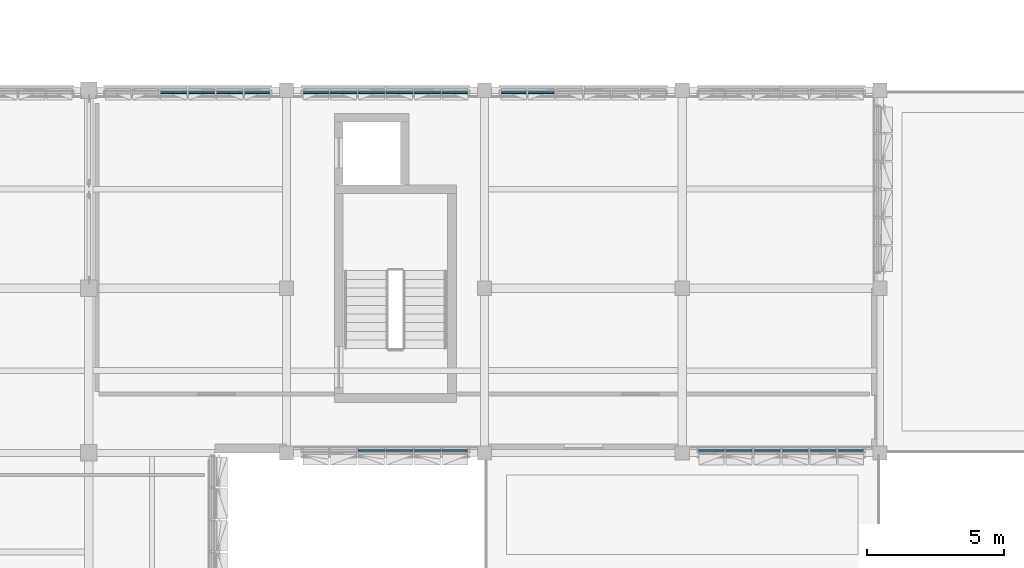
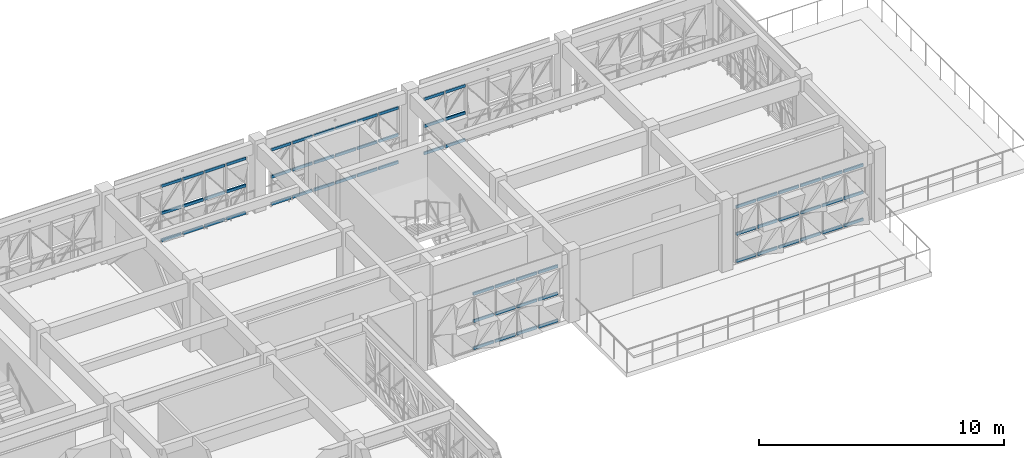
# One storey, part 18 of 74: 66 members, 5 elements without a shape of their own.
"""IFC4 building model written with IfcOpenShell, lengths in metres."""

from ifc_helpers import new_model, si_unit, direction, frame, origin, origin_2d, place, context, subcontext, project, spatial, rectangle, extrude, material, material_profile, profile_set, type_object, element, aggregate, save


model = new_model("IFC4")

# Units and contexts
model_context = context("Model", 3, precision=1e-05, world=origin(), true_north=direction((0.0, 1.0)))
body_context = subcontext(model_context, "Body", "Model", "MODEL_VIEW")
ifc_project = project(units=[si_unit("LENGTHUNIT", "METRE"), si_unit("AREAUNIT", "SQUARE_METRE"), si_unit("VOLUMEUNIT", "CUBIC_METRE"), si_unit("PLANEANGLEUNIT", "RADIAN"), si_unit("MASSUNIT", "GRAM", prefix="KILO")], contexts=[model_context])

# Site, building, storey
site_placement = place(None, origin())
site = spatial("IfcSite", under=ifc_project, at=site_placement, CompositionType="ELEMENT")
building_placement = place(site_placement, origin())
building = spatial("IfcBuilding", under=site, at=building_placement, Name="Alvorim Cloister Faculty of Sciences", CompositionType="ELEMENT")
storey_placement = place(building_placement, frame((0.0, 0.0, 15.75)))
storey = spatial("IfcBuildingStorey", under=building, at=storey_placement, Name="L04", CompositionType="ELEMENT", Elevation=15.75)

# Curtain wall, members
ifc_material_1 = material(Name="Aluminium and Low-E Glass Curtain Wall", Category="aluminium")
curtain_wall_type = type_object("IfcCurtainWallType", Name="CW-TRI-6120x2850", PredefinedType="USERDEFINED", material=ifc_material_1)
curtain_wall_1_placement = place(storey_placement, origin())
curtain_wall_1 = element("IfcCurtainWall", 1, at=curtain_wall_1_placement, inside=storey, type_object=curtain_wall_type, Name="L04 Diagonal Cassette Curtain Wall CW-0190", ObjectType="UNITISED CURTAIN WALL", PredefinedType="USERDEFINED")
ifc_material_2 = material(Name="Aluminium Alloy 6063-T6", Category="aluminium")
ifc_material_profile = material_profile(ifc_material_2, rectangle(XDim=0.06494140625, YDim=0.139892578125, at=origin_2d()), Name="ALU-TRN-65x140")
ifc_profile_set = profile_set([ifc_material_profile], Name="Aluminium Alloy 6063-T6")
member_type = type_object("IfcMemberType", Name="CW-TRN-65x140", PredefinedType="USERDEFINED", material=ifc_profile_set)
member_1_placement = place(storey_placement, frame((31.41259765625, 56.31005859375, 0.070068359375), z_axis=(1.0, 0.0, 0.0), x_axis=(0.0, 1.0, 0.0)))
member_1 = element("IfcMember", 2, at=member_1_placement, type_object=member_type, Name="CW-0190 Transom 3.1", ObjectType="TRANSOM", PredefinedType="USERDEFINED", context=body_context, shape_type="SweptSolid", body=[
    extrude(rectangle(XDim=0.06494140625, YDim=0.139892578125, at=origin_2d()), origin(), (0.0, 0.0, 1.0), 0.954833984375),
])
member_2_placement = place(storey_placement, frame((31.41259765625, 56.31005859375, 1.425048828125), z_axis=(1.0, 0.0, 0.0), x_axis=(0.0, 1.0, 0.0)))
member_2 = element("IfcMember", 3, at=member_2_placement, type_object=member_type, Name="CW-0190 Transom 3.2", ObjectType="TRANSOM", PredefinedType="USERDEFINED", context=body_context, shape_type="SweptSolid", body=[
    extrude(rectangle(XDim=0.06494140625, YDim=0.139892578125, at=origin_2d()), origin(), (0.0, 0.0, 1.0), 0.954833984375),
])
member_3_placement = place(storey_placement, frame((31.41259765625, 56.31005859375, 2.780029296875), z_axis=(1.0, 0.0, 0.0), x_axis=(0.0, 1.0, 0.0)))
member_3 = element("IfcMember", 4, at=member_3_placement, type_object=member_type, Name="CW-0190 Transom 3.3", ObjectType="TRANSOM", PredefinedType="USERDEFINED", context=body_context, shape_type="SweptSolid", body=[
    extrude(rectangle(XDim=0.06494140625, YDim=0.139892578125, at=origin_2d()), origin(), (0.0, 0.0, 1.0), 0.954833984375),
])
member_4_placement = place(storey_placement, frame((32.4326171875, 56.31005859375, 0.070068359375), z_axis=(1.0, 0.0, 0.0), x_axis=(0.0, 1.0, 0.0)))
member_4 = element("IfcMember", 5, at=member_4_placement, type_object=member_type, Name="CW-0190 Transom 4.1", ObjectType="TRANSOM", PredefinedType="USERDEFINED", context=body_context, shape_type="SweptSolid", body=[
    extrude(rectangle(XDim=0.06494140625, YDim=0.139892578125, at=origin_2d()), origin(), (0.0, 0.0, 1.0), 0.954833984375),
])
member_5_placement = place(storey_placement, frame((32.4326171875, 56.31005859375, 1.425048828125), z_axis=(1.0, 0.0, 0.0), x_axis=(0.0, 1.0, 0.0)))
member_5 = element("IfcMember", 6, at=member_5_placement, type_object=member_type, Name="CW-0190 Transom 4.2", ObjectType="TRANSOM", PredefinedType="USERDEFINED", context=body_context, shape_type="SweptSolid", body=[
    extrude(rectangle(XDim=0.06494140625, YDim=0.139892578125, at=origin_2d()), origin(), (0.0, 0.0, 1.0), 0.954833984375),
])
member_6_placement = place(storey_placement, frame((32.4326171875, 56.31005859375, 2.780029296875), z_axis=(1.0, 0.0, 0.0), x_axis=(0.0, 1.0, 0.0)))
member_6 = element("IfcMember", 7, at=member_6_placement, type_object=member_type, Name="CW-0190 Transom 4.3", ObjectType="TRANSOM", PredefinedType="USERDEFINED", context=body_context, shape_type="SweptSolid", body=[
    extrude(rectangle(XDim=0.06494140625, YDim=0.139892578125, at=origin_2d()), origin(), (0.0, 0.0, 1.0), 0.954833984375),
])
member_7_placement = place(storey_placement, frame((33.452392578125, 56.31005859375, 0.070068359375), z_axis=(1.0, 0.0, 0.0), x_axis=(0.0, 1.0, 0.0)))
member_7 = element("IfcMember", 8, at=member_7_placement, type_object=member_type, Name="CW-0190 Transom 5.1", ObjectType="TRANSOM", PredefinedType="USERDEFINED", context=body_context, shape_type="SweptSolid", body=[
    extrude(rectangle(XDim=0.06494140625, YDim=0.139892578125, at=origin_2d()), origin(), (0.0, 0.0, 1.0), 0.955078125),
])
member_8_placement = place(storey_placement, frame((33.452392578125, 56.31005859375, 1.425048828125), z_axis=(1.0, 0.0, 0.0), x_axis=(0.0, 1.0, 0.0)))
member_8 = element("IfcMember", 9, at=member_8_placement, type_object=member_type, Name="CW-0190 Transom 5.2", ObjectType="TRANSOM", PredefinedType="USERDEFINED", context=body_context, shape_type="SweptSolid", body=[
    extrude(rectangle(XDim=0.06494140625, YDim=0.139892578125, at=origin_2d()), origin(), (0.0, 0.0, 1.0), 0.955078125),
])
member_9_placement = place(storey_placement, frame((33.452392578125, 56.31005859375, 2.780029296875), z_axis=(1.0, 0.0, 0.0), x_axis=(0.0, 1.0, 0.0)))
member_9 = element("IfcMember", 10, at=member_9_placement, type_object=member_type, Name="CW-0190 Transom 5.3", ObjectType="TRANSOM", PredefinedType="USERDEFINED", context=body_context, shape_type="SweptSolid", body=[
    extrude(rectangle(XDim=0.06494140625, YDim=0.139892578125, at=origin_2d()), origin(), (0.0, 0.0, 1.0), 0.955078125),
])
member_10_placement = place(storey_placement, frame((34.472412109375, 56.31005859375, 0.070068359375), z_axis=(1.0, 0.0, 0.0), x_axis=(0.0, 1.0, 0.0)))
member_10 = element("IfcMember", 11, at=member_10_placement, type_object=member_type, Name="CW-0190 Transom 6.1", ObjectType="TRANSOM", PredefinedType="USERDEFINED", context=body_context, shape_type="SweptSolid", body=[
    extrude(rectangle(XDim=0.06494140625, YDim=0.139892578125, at=origin_2d()), origin(), (0.0, 0.0, 1.0), 0.922607421875),
])
member_11_placement = place(storey_placement, frame((34.472412109375, 56.31005859375, 1.425048828125), z_axis=(1.0, 0.0, 0.0), x_axis=(0.0, 1.0, 0.0)))
member_11 = element("IfcMember", 12, at=member_11_placement, type_object=member_type, Name="CW-0190 Transom 6.2", ObjectType="TRANSOM", PredefinedType="USERDEFINED", context=body_context, shape_type="SweptSolid", body=[
    extrude(rectangle(XDim=0.06494140625, YDim=0.139892578125, at=origin_2d()), origin(), (0.0, 0.0, 1.0), 0.922607421875),
])
member_12_placement = place(storey_placement, frame((34.472412109375, 56.31005859375, 2.780029296875), z_axis=(1.0, 0.0, 0.0), x_axis=(0.0, 1.0, 0.0)))
member_12 = element("IfcMember", 13, at=member_12_placement, type_object=member_type, Name="CW-0190 Transom 6.3", ObjectType="TRANSOM", PredefinedType="USERDEFINED", context=body_context, shape_type="SweptSolid", body=[
    extrude(rectangle(XDim=0.06494140625, YDim=0.139892578125, at=origin_2d()), origin(), (0.0, 0.0, 1.0), 0.922607421875),
])
aggregate(curtain_wall_1, [member_1, member_2, member_3, member_4, member_5, member_6, member_7, member_8, member_9, member_10, member_11, member_12])

curtain_wall_2_placement = place(storey_placement, origin())
curtain_wall_2 = element("IfcCurtainWall", 14, at=curtain_wall_2_placement, inside=storey, type_object=curtain_wall_type, Name="L04 Diagonal Cassette Curtain Wall CW-0191", ObjectType="UNITISED CURTAIN WALL", PredefinedType="USERDEFINED")
member_13_placement = place(storey_placement, frame((36.60498046875, 56.31005859375, 0.070068359375), z_axis=(1.0, 0.0, 0.0), x_axis=(0.0, 1.0, 0.0)))
member_13 = element("IfcMember", 15, at=member_13_placement, type_object=member_type, Name="CW-0191 Transom 1.1", ObjectType="TRANSOM", PredefinedType="USERDEFINED", context=body_context, shape_type="SweptSolid", body=[
    extrude(rectangle(XDim=0.06494140625, YDim=0.139892578125, at=origin_2d()), origin(), (0.0, 0.0, 1.0), 0.922607421875),
])
member_14_placement = place(storey_placement, frame((36.60498046875, 56.31005859375, 1.425048828125), z_axis=(1.0, 0.0, 0.0), x_axis=(0.0, 1.0, 0.0)))
member_14 = element("IfcMember", 16, at=member_14_placement, type_object=member_type, Name="CW-0191 Transom 1.2", ObjectType="TRANSOM", PredefinedType="USERDEFINED", context=body_context, shape_type="SweptSolid", body=[
    extrude(rectangle(XDim=0.06494140625, YDim=0.139892578125, at=origin_2d()), origin(), (0.0, 0.0, 1.0), 0.922607421875),
])
member_15_placement = place(storey_placement, frame((36.60498046875, 56.31005859375, 2.780029296875), z_axis=(1.0, 0.0, 0.0), x_axis=(0.0, 1.0, 0.0)))
member_15 = element("IfcMember", 17, at=member_15_placement, type_object=member_type, Name="CW-0191 Transom 1.3", ObjectType="TRANSOM", PredefinedType="USERDEFINED", context=body_context, shape_type="SweptSolid", body=[
    extrude(rectangle(XDim=0.06494140625, YDim=0.139892578125, at=origin_2d()), origin(), (0.0, 0.0, 1.0), 0.922607421875),
])
member_16_placement = place(storey_placement, frame((37.592529296875, 56.31005859375, 0.070068359375), z_axis=(1.0, 0.0, 0.0), x_axis=(0.0, 1.0, 0.0)))
member_16 = element("IfcMember", 18, at=member_16_placement, type_object=member_type, Name="CW-0191 Transom 2.1", ObjectType="TRANSOM", PredefinedType="USERDEFINED", context=body_context, shape_type="SweptSolid", body=[
    extrude(rectangle(XDim=0.06494140625, YDim=0.139892578125, at=origin_2d()), origin(), (0.0, 0.0, 1.0), 0.955078125),
])
member_17_placement = place(storey_placement, frame((37.592529296875, 56.31005859375, 1.425048828125), z_axis=(1.0, 0.0, 0.0), x_axis=(0.0, 1.0, 0.0)))
member_17 = element("IfcMember", 19, at=member_17_placement, type_object=member_type, Name="CW-0191 Transom 2.2", ObjectType="TRANSOM", PredefinedType="USERDEFINED", context=body_context, shape_type="SweptSolid", body=[
    extrude(rectangle(XDim=0.06494140625, YDim=0.139892578125, at=origin_2d()), origin(), (0.0, 0.0, 1.0), 0.955078125),
])
member_18_placement = place(storey_placement, frame((37.592529296875, 56.31005859375, 2.780029296875), z_axis=(1.0, 0.0, 0.0), x_axis=(0.0, 1.0, 0.0)))
member_18 = element("IfcMember", 20, at=member_18_placement, type_object=member_type, Name="CW-0191 Transom 2.3", ObjectType="TRANSOM", PredefinedType="USERDEFINED", context=body_context, shape_type="SweptSolid", body=[
    extrude(rectangle(XDim=0.06494140625, YDim=0.139892578125, at=origin_2d()), origin(), (0.0, 0.0, 1.0), 0.955078125),
])
member_19_placement = place(storey_placement, frame((38.612548828125, 56.31005859375, 0.070068359375), z_axis=(1.0, 0.0, 0.0), x_axis=(0.0, 1.0, 0.0)))
member_19 = element("IfcMember", 21, at=member_19_placement, type_object=member_type, Name="CW-0191 Transom 3.1", ObjectType="TRANSOM", PredefinedType="USERDEFINED", context=body_context, shape_type="SweptSolid", body=[
    extrude(rectangle(XDim=0.06494140625, YDim=0.139892578125, at=origin_2d()), origin(), (0.0, 0.0, 1.0), 0.954833984375),
])
member_20_placement = place(storey_placement, frame((38.612548828125, 56.31005859375, 1.425048828125), z_axis=(1.0, 0.0, 0.0), x_axis=(0.0, 1.0, 0.0)))
member_20 = element("IfcMember", 22, at=member_20_placement, type_object=member_type, Name="CW-0191 Transom 3.2", ObjectType="TRANSOM", PredefinedType="USERDEFINED", context=body_context, shape_type="SweptSolid", body=[
    extrude(rectangle(XDim=0.06494140625, YDim=0.139892578125, at=origin_2d()), origin(), (0.0, 0.0, 1.0), 0.954833984375),
])
member_21_placement = place(storey_placement, frame((38.612548828125, 56.31005859375, 2.780029296875), z_axis=(1.0, 0.0, 0.0), x_axis=(0.0, 1.0, 0.0)))
member_21 = element("IfcMember", 23, at=member_21_placement, type_object=member_type, Name="CW-0191 Transom 3.3", ObjectType="TRANSOM", PredefinedType="USERDEFINED", context=body_context, shape_type="SweptSolid", body=[
    extrude(rectangle(XDim=0.06494140625, YDim=0.139892578125, at=origin_2d()), origin(), (0.0, 0.0, 1.0), 0.954833984375),
])
member_22_placement = place(storey_placement, frame((39.632568359375, 56.31005859375, 0.070068359375), z_axis=(1.0, 0.0, 0.0), x_axis=(0.0, 1.0, 0.0)))
member_22 = element("IfcMember", 24, at=member_22_placement, type_object=member_type, Name="CW-0191 Transom 4.1", ObjectType="TRANSOM", PredefinedType="USERDEFINED", context=body_context, shape_type="SweptSolid", body=[
    extrude(rectangle(XDim=0.06494140625, YDim=0.139892578125, at=origin_2d()), origin(), (0.0, 0.0, 1.0), 0.954833984375),
])
member_23_placement = place(storey_placement, frame((39.632568359375, 56.31005859375, 1.425048828125), z_axis=(1.0, 0.0, 0.0), x_axis=(0.0, 1.0, 0.0)))
member_23 = element("IfcMember", 25, at=member_23_placement, type_object=member_type, Name="CW-0191 Transom 4.2", ObjectType="TRANSOM", PredefinedType="USERDEFINED", context=body_context, shape_type="SweptSolid", body=[
    extrude(rectangle(XDim=0.06494140625, YDim=0.139892578125, at=origin_2d()), origin(), (0.0, 0.0, 1.0), 0.954833984375),
])
member_24_placement = place(storey_placement, frame((39.632568359375, 56.31005859375, 2.780029296875), z_axis=(1.0, 0.0, 0.0), x_axis=(0.0, 1.0, 0.0)))
member_24 = element("IfcMember", 26, at=member_24_placement, type_object=member_type, Name="CW-0191 Transom 4.3", ObjectType="TRANSOM", PredefinedType="USERDEFINED", context=body_context, shape_type="SweptSolid", body=[
    extrude(rectangle(XDim=0.06494140625, YDim=0.139892578125, at=origin_2d()), origin(), (0.0, 0.0, 1.0), 0.954833984375),
])
member_25_placement = place(storey_placement, frame((40.652587890625, 56.31005859375, 0.070068359375), z_axis=(1.0, 0.0, 0.0), x_axis=(0.0, 1.0, 0.0)))
member_25 = element("IfcMember", 27, at=member_25_placement, type_object=member_type, Name="CW-0191 Transom 5.1", ObjectType="TRANSOM", PredefinedType="USERDEFINED", context=body_context, shape_type="SweptSolid", body=[
    extrude(rectangle(XDim=0.06494140625, YDim=0.139892578125, at=origin_2d()), origin(), (0.0, 0.0, 1.0), 0.954833984375),
])
member_26_placement = place(storey_placement, frame((40.652587890625, 56.31005859375, 1.425048828125), z_axis=(1.0, 0.0, 0.0), x_axis=(0.0, 1.0, 0.0)))
member_26 = element("IfcMember", 28, at=member_26_placement, type_object=member_type, Name="CW-0191 Transom 5.2", ObjectType="TRANSOM", PredefinedType="USERDEFINED", context=body_context, shape_type="SweptSolid", body=[
    extrude(rectangle(XDim=0.06494140625, YDim=0.139892578125, at=origin_2d()), origin(), (0.0, 0.0, 1.0), 0.954833984375),
])
member_27_placement = place(storey_placement, frame((40.652587890625, 56.31005859375, 2.780029296875), z_axis=(1.0, 0.0, 0.0), x_axis=(0.0, 1.0, 0.0)))
member_27 = element("IfcMember", 29, at=member_27_placement, type_object=member_type, Name="CW-0191 Transom 5.3", ObjectType="TRANSOM", PredefinedType="USERDEFINED", context=body_context, shape_type="SweptSolid", body=[
    extrude(rectangle(XDim=0.06494140625, YDim=0.139892578125, at=origin_2d()), origin(), (0.0, 0.0, 1.0), 0.954833984375),
])
member_28_placement = place(storey_placement, frame((41.672607421875, 56.31005859375, 0.070068359375), z_axis=(1.0, 0.0, 0.0), x_axis=(0.0, 1.0, 0.0)))
member_28 = element("IfcMember", 30, at=member_28_placement, type_object=member_type, Name="CW-0191 Transom 6.1", ObjectType="TRANSOM", PredefinedType="USERDEFINED", context=body_context, shape_type="SweptSolid", body=[
    extrude(rectangle(XDim=0.06494140625, YDim=0.139892578125, at=origin_2d()), origin(), (0.0, 0.0, 1.0), 0.92236328125),
])
member_29_placement = place(storey_placement, frame((41.672607421875, 56.31005859375, 1.425048828125), z_axis=(1.0, 0.0, 0.0), x_axis=(0.0, 1.0, 0.0)))
member_29 = element("IfcMember", 31, at=member_29_placement, type_object=member_type, Name="CW-0191 Transom 6.2", ObjectType="TRANSOM", PredefinedType="USERDEFINED", context=body_context, shape_type="SweptSolid", body=[
    extrude(rectangle(XDim=0.06494140625, YDim=0.139892578125, at=origin_2d()), origin(), (0.0, 0.0, 1.0), 0.92236328125),
])
member_30_placement = place(storey_placement, frame((41.672607421875, 56.31005859375, 2.780029296875), z_axis=(1.0, 0.0, 0.0), x_axis=(0.0, 1.0, 0.0)))
member_30 = element("IfcMember", 32, at=member_30_placement, type_object=member_type, Name="CW-0191 Transom 6.3", ObjectType="TRANSOM", PredefinedType="USERDEFINED", context=body_context, shape_type="SweptSolid", body=[
    extrude(rectangle(XDim=0.06494140625, YDim=0.139892578125, at=origin_2d()), origin(), (0.0, 0.0, 1.0), 0.92236328125),
])
aggregate(curtain_wall_2, [member_13, member_14, member_15, member_16, member_17, member_18, member_19, member_20, member_21, member_22, member_23, member_24, member_25, member_26, member_27, member_28, member_29, member_30])

curtain_wall_3_placement = place(storey_placement, origin())
curtain_wall_3 = element("IfcCurtainWall", 33, at=curtain_wall_3_placement, inside=storey, type_object=curtain_wall_type, Name="L04 Diagonal Cassette Curtain Wall CW-0192", ObjectType="UNITISED CURTAIN WALL", PredefinedType="USERDEFINED")
member_31_placement = place(storey_placement, frame((43.804931640625, 56.31005859375, 0.070068359375), z_axis=(1.0, 0.0, 0.0), x_axis=(0.0, 1.0, 0.0)))
member_31 = element("IfcMember", 34, at=member_31_placement, type_object=member_type, Name="CW-0192 Transom 1.1", ObjectType="TRANSOM", PredefinedType="USERDEFINED", context=body_context, shape_type="SweptSolid", body=[
    extrude(rectangle(XDim=0.06494140625, YDim=0.139892578125, at=origin_2d()), origin(), (0.0, 0.0, 1.0), 0.922607421875),
])
member_32_placement = place(storey_placement, frame((43.804931640625, 56.31005859375, 1.425048828125), z_axis=(1.0, 0.0, 0.0), x_axis=(0.0, 1.0, 0.0)))
member_32 = element("IfcMember", 35, at=member_32_placement, type_object=member_type, Name="CW-0192 Transom 1.2", ObjectType="TRANSOM", PredefinedType="USERDEFINED", context=body_context, shape_type="SweptSolid", body=[
    extrude(rectangle(XDim=0.06494140625, YDim=0.139892578125, at=origin_2d()), origin(), (0.0, 0.0, 1.0), 0.922607421875),
])
member_33_placement = place(storey_placement, frame((43.804931640625, 56.31005859375, 2.780029296875), z_axis=(1.0, 0.0, 0.0), x_axis=(0.0, 1.0, 0.0)))
member_33 = element("IfcMember", 36, at=member_33_placement, type_object=member_type, Name="CW-0192 Transom 1.3", ObjectType="TRANSOM", PredefinedType="USERDEFINED", context=body_context, shape_type="SweptSolid", body=[
    extrude(rectangle(XDim=0.06494140625, YDim=0.139892578125, at=origin_2d()), origin(), (0.0, 0.0, 1.0), 0.922607421875),
])
member_34_placement = place(storey_placement, frame((44.79248046875, 56.31005859375, 0.070068359375), z_axis=(1.0, 0.0, 0.0), x_axis=(0.0, 1.0, 0.0)))
member_34 = element("IfcMember", 37, at=member_34_placement, type_object=member_type, Name="CW-0192 Transom 2.1", ObjectType="TRANSOM", PredefinedType="USERDEFINED", context=body_context, shape_type="SweptSolid", body=[
    extrude(rectangle(XDim=0.06494140625, YDim=0.139892578125, at=origin_2d()), origin(), (0.0, 0.0, 1.0), 0.955078125),
])
member_35_placement = place(storey_placement, frame((44.79248046875, 56.31005859375, 1.425048828125), z_axis=(1.0, 0.0, 0.0), x_axis=(0.0, 1.0, 0.0)))
member_35 = element("IfcMember", 38, at=member_35_placement, type_object=member_type, Name="CW-0192 Transom 2.2", ObjectType="TRANSOM", PredefinedType="USERDEFINED", context=body_context, shape_type="SweptSolid", body=[
    extrude(rectangle(XDim=0.06494140625, YDim=0.139892578125, at=origin_2d()), origin(), (0.0, 0.0, 1.0), 0.955078125),
])
member_36_placement = place(storey_placement, frame((44.79248046875, 56.31005859375, 2.780029296875), z_axis=(1.0, 0.0, 0.0), x_axis=(0.0, 1.0, 0.0)))
member_36 = element("IfcMember", 39, at=member_36_placement, type_object=member_type, Name="CW-0192 Transom 2.3", ObjectType="TRANSOM", PredefinedType="USERDEFINED", context=body_context, shape_type="SweptSolid", body=[
    extrude(rectangle(XDim=0.06494140625, YDim=0.139892578125, at=origin_2d()), origin(), (0.0, 0.0, 1.0), 0.955078125),
])
aggregate(curtain_wall_3, [member_31, member_32, member_33, member_34, member_35, member_36])

curtain_wall_4_placement = place(storey_placement, origin())
curtain_wall_4 = element("IfcCurtainWall", 40, at=curtain_wall_4_placement, inside=storey, type_object=curtain_wall_type, Name="L04 Diagonal Cassette Curtain Wall CW-0195", ObjectType="UNITISED CURTAIN WALL", PredefinedType="USERDEFINED")
member_37_placement = place(storey_placement, frame((51.0048828125, 43.2900390625, 0.070068359375), z_axis=(1.0, 0.0, 0.0), x_axis=(0.0, 1.0, 0.0)))
member_37 = element("IfcMember", 41, at=member_37_placement, type_object=member_type, Name="CW-0195 Transom 1.1", ObjectType="TRANSOM", PredefinedType="USERDEFINED", context=body_context, shape_type="SweptSolid", body=[
    extrude(rectangle(XDim=0.06494140625, YDim=0.139892578125, at=origin_2d()), origin(), (0.0, 0.0, 1.0), 0.922607421875),
])
member_38_placement = place(storey_placement, frame((51.0048828125, 43.2900390625, 1.425048828125), z_axis=(1.0, 0.0, 0.0), x_axis=(0.0, 1.0, 0.0)))
member_38 = element("IfcMember", 42, at=member_38_placement, type_object=member_type, Name="CW-0195 Transom 1.2", ObjectType="TRANSOM", PredefinedType="USERDEFINED", context=body_context, shape_type="SweptSolid", body=[
    extrude(rectangle(XDim=0.06494140625, YDim=0.139892578125, at=origin_2d()), origin(), (0.0, 0.0, 1.0), 0.922607421875),
])
member_39_placement = place(storey_placement, frame((51.0048828125, 43.2900390625, 2.780029296875), z_axis=(1.0, 0.0, 0.0), x_axis=(0.0, 1.0, 0.0)))
member_39 = element("IfcMember", 43, at=member_39_placement, type_object=member_type, Name="CW-0195 Transom 1.3", ObjectType="TRANSOM", PredefinedType="USERDEFINED", context=body_context, shape_type="SweptSolid", body=[
    extrude(rectangle(XDim=0.06494140625, YDim=0.139892578125, at=origin_2d()), origin(), (0.0, 0.0, 1.0), 0.922607421875),
])
member_40_placement = place(storey_placement, frame((51.992431640625, 43.2900390625, 0.070068359375), z_axis=(1.0, 0.0, 0.0), x_axis=(0.0, 1.0, 0.0)))
member_40 = element("IfcMember", 44, at=member_40_placement, type_object=member_type, Name="CW-0195 Transom 2.1", ObjectType="TRANSOM", PredefinedType="USERDEFINED", context=body_context, shape_type="SweptSolid", body=[
    extrude(rectangle(XDim=0.06494140625, YDim=0.139892578125, at=origin_2d()), origin(), (0.0, 0.0, 1.0), 0.955078125),
])
member_41_placement = place(storey_placement, frame((51.992431640625, 43.2900390625, 1.425048828125), z_axis=(1.0, 0.0, 0.0), x_axis=(0.0, 1.0, 0.0)))
member_41 = element("IfcMember", 45, at=member_41_placement, type_object=member_type, Name="CW-0195 Transom 2.2", ObjectType="TRANSOM", PredefinedType="USERDEFINED", context=body_context, shape_type="SweptSolid", body=[
    extrude(rectangle(XDim=0.06494140625, YDim=0.139892578125, at=origin_2d()), origin(), (0.0, 0.0, 1.0), 0.955078125),
])
member_42_placement = place(storey_placement, frame((51.992431640625, 43.2900390625, 2.780029296875), z_axis=(1.0, 0.0, 0.0), x_axis=(0.0, 1.0, 0.0)))
member_42 = element("IfcMember", 46, at=member_42_placement, type_object=member_type, Name="CW-0195 Transom 2.3", ObjectType="TRANSOM", PredefinedType="USERDEFINED", context=body_context, shape_type="SweptSolid", body=[
    extrude(rectangle(XDim=0.06494140625, YDim=0.139892578125, at=origin_2d()), origin(), (0.0, 0.0, 1.0), 0.955078125),
])
member_43_placement = place(storey_placement, frame((53.012451171875, 43.2900390625, 0.070068359375), z_axis=(1.0, 0.0, 0.0), x_axis=(0.0, 1.0, 0.0)))
member_43 = element("IfcMember", 47, at=member_43_placement, type_object=member_type, Name="CW-0195 Transom 3.1", ObjectType="TRANSOM", PredefinedType="USERDEFINED", context=body_context, shape_type="SweptSolid", body=[
    extrude(rectangle(XDim=0.06494140625, YDim=0.139892578125, at=origin_2d()), origin(), (0.0, 0.0, 1.0), 0.955078125),
])
member_44_placement = place(storey_placement, frame((53.012451171875, 43.2900390625, 1.425048828125), z_axis=(1.0, 0.0, 0.0), x_axis=(0.0, 1.0, 0.0)))
member_44 = element("IfcMember", 48, at=member_44_placement, type_object=member_type, Name="CW-0195 Transom 3.2", ObjectType="TRANSOM", PredefinedType="USERDEFINED", context=body_context, shape_type="SweptSolid", body=[
    extrude(rectangle(XDim=0.06494140625, YDim=0.139892578125, at=origin_2d()), origin(), (0.0, 0.0, 1.0), 0.955078125),
])
member_45_placement = place(storey_placement, frame((53.012451171875, 43.2900390625, 2.780029296875), z_axis=(1.0, 0.0, 0.0), x_axis=(0.0, 1.0, 0.0)))
member_45 = element("IfcMember", 49, at=member_45_placement, type_object=member_type, Name="CW-0195 Transom 3.3", ObjectType="TRANSOM", PredefinedType="USERDEFINED", context=body_context, shape_type="SweptSolid", body=[
    extrude(rectangle(XDim=0.06494140625, YDim=0.139892578125, at=origin_2d()), origin(), (0.0, 0.0, 1.0), 0.955078125),
])
member_46_placement = place(storey_placement, frame((54.032470703125, 43.2900390625, 0.070068359375), z_axis=(1.0, 0.0, 0.0), x_axis=(0.0, 1.0, 0.0)))
member_46 = element("IfcMember", 50, at=member_46_placement, type_object=member_type, Name="CW-0195 Transom 4.1", ObjectType="TRANSOM", PredefinedType="USERDEFINED", context=body_context, shape_type="SweptSolid", body=[
    extrude(rectangle(XDim=0.06494140625, YDim=0.139892578125, at=origin_2d()), origin(), (0.0, 0.0, 1.0), 0.955078125),
])
member_47_placement = place(storey_placement, frame((54.032470703125, 43.2900390625, 1.425048828125), z_axis=(1.0, 0.0, 0.0), x_axis=(0.0, 1.0, 0.0)))
member_47 = element("IfcMember", 51, at=member_47_placement, type_object=member_type, Name="CW-0195 Transom 4.2", ObjectType="TRANSOM", PredefinedType="USERDEFINED", context=body_context, shape_type="SweptSolid", body=[
    extrude(rectangle(XDim=0.06494140625, YDim=0.139892578125, at=origin_2d()), origin(), (0.0, 0.0, 1.0), 0.955078125),
])
member_48_placement = place(storey_placement, frame((54.032470703125, 43.2900390625, 2.780029296875), z_axis=(1.0, 0.0, 0.0), x_axis=(0.0, 1.0, 0.0)))
member_48 = element("IfcMember", 52, at=member_48_placement, type_object=member_type, Name="CW-0195 Transom 4.3", ObjectType="TRANSOM", PredefinedType="USERDEFINED", context=body_context, shape_type="SweptSolid", body=[
    extrude(rectangle(XDim=0.06494140625, YDim=0.139892578125, at=origin_2d()), origin(), (0.0, 0.0, 1.0), 0.955078125),
])
member_49_placement = place(storey_placement, frame((55.052490234375, 43.2900390625, 0.070068359375), z_axis=(1.0, 0.0, 0.0), x_axis=(0.0, 1.0, 0.0)))
member_49 = element("IfcMember", 53, at=member_49_placement, type_object=member_type, Name="CW-0195 Transom 5.1", ObjectType="TRANSOM", PredefinedType="USERDEFINED", context=body_context, shape_type="SweptSolid", body=[
    extrude(rectangle(XDim=0.06494140625, YDim=0.139892578125, at=origin_2d()), origin(), (0.0, 0.0, 1.0), 0.955078125),
])
member_50_placement = place(storey_placement, frame((55.052490234375, 43.2900390625, 1.425048828125), z_axis=(1.0, 0.0, 0.0), x_axis=(0.0, 1.0, 0.0)))
member_50 = element("IfcMember", 54, at=member_50_placement, type_object=member_type, Name="CW-0195 Transom 5.2", ObjectType="TRANSOM", PredefinedType="USERDEFINED", context=body_context, shape_type="SweptSolid", body=[
    extrude(rectangle(XDim=0.06494140625, YDim=0.139892578125, at=origin_2d()), origin(), (0.0, 0.0, 1.0), 0.955078125),
])
member_51_placement = place(storey_placement, frame((55.052490234375, 43.2900390625, 2.780029296875), z_axis=(1.0, 0.0, 0.0), x_axis=(0.0, 1.0, 0.0)))
member_51 = element("IfcMember", 55, at=member_51_placement, type_object=member_type, Name="CW-0195 Transom 5.3", ObjectType="TRANSOM", PredefinedType="USERDEFINED", context=body_context, shape_type="SweptSolid", body=[
    extrude(rectangle(XDim=0.06494140625, YDim=0.139892578125, at=origin_2d()), origin(), (0.0, 0.0, 1.0), 0.955078125),
])
member_52_placement = place(storey_placement, frame((56.072509765625, 43.2900390625, 0.070068359375), z_axis=(1.0, 0.0, 0.0), x_axis=(0.0, 1.0, 0.0)))
member_52 = element("IfcMember", 56, at=member_52_placement, type_object=member_type, Name="CW-0195 Transom 6.1", ObjectType="TRANSOM", PredefinedType="USERDEFINED", context=body_context, shape_type="SweptSolid", body=[
    extrude(rectangle(XDim=0.06494140625, YDim=0.139892578125, at=origin_2d()), origin(), (0.0, 0.0, 1.0), 0.922607421875),
])
member_53_placement = place(storey_placement, frame((56.072509765625, 43.2900390625, 1.425048828125), z_axis=(1.0, 0.0, 0.0), x_axis=(0.0, 1.0, 0.0)))
member_53 = element("IfcMember", 57, at=member_53_placement, type_object=member_type, Name="CW-0195 Transom 6.2", ObjectType="TRANSOM", PredefinedType="USERDEFINED", context=body_context, shape_type="SweptSolid", body=[
    extrude(rectangle(XDim=0.06494140625, YDim=0.139892578125, at=origin_2d()), origin(), (0.0, 0.0, 1.0), 0.922607421875),
])
member_54_placement = place(storey_placement, frame((56.072509765625, 43.2900390625, 2.780029296875), z_axis=(1.0, 0.0, 0.0), x_axis=(0.0, 1.0, 0.0)))
member_54 = element("IfcMember", 58, at=member_54_placement, type_object=member_type, Name="CW-0195 Transom 6.3", ObjectType="TRANSOM", PredefinedType="USERDEFINED", context=body_context, shape_type="SweptSolid", body=[
    extrude(rectangle(XDim=0.06494140625, YDim=0.139892578125, at=origin_2d()), origin(), (0.0, 0.0, 1.0), 0.922607421875),
])
aggregate(curtain_wall_4, [member_37, member_38, member_39, member_40, member_41, member_42, member_43, member_44, member_45, member_46, member_47, member_48, member_49, member_50, member_51, member_52, member_53, member_54])

curtain_wall_5_placement = place(storey_placement, origin())
curtain_wall_5 = element("IfcCurtainWall", 59, at=curtain_wall_5_placement, inside=storey, type_object=curtain_wall_type, Name="L04 Diagonal Cassette Curtain Wall CW-0196", ObjectType="UNITISED CURTAIN WALL", PredefinedType="USERDEFINED")
member_55_placement = place(storey_placement, frame((38.612548828125, 43.2900390625, 0.070068359375), z_axis=(1.0, 0.0, 0.0), x_axis=(0.0, 1.0, 0.0)))
member_55 = element("IfcMember", 60, at=member_55_placement, type_object=member_type, Name="CW-0196 Transom 3.1", ObjectType="TRANSOM", PredefinedType="USERDEFINED", context=body_context, shape_type="SweptSolid", body=[
    extrude(rectangle(XDim=0.06494140625, YDim=0.139892578125, at=origin_2d()), origin(), (0.0, 0.0, 1.0), 0.954833984375),
])
member_56_placement = place(storey_placement, frame((38.612548828125, 43.2900390625, 1.425048828125), z_axis=(1.0, 0.0, 0.0), x_axis=(0.0, 1.0, 0.0)))
member_56 = element("IfcMember", 61, at=member_56_placement, type_object=member_type, Name="CW-0196 Transom 3.2", ObjectType="TRANSOM", PredefinedType="USERDEFINED", context=body_context, shape_type="SweptSolid", body=[
    extrude(rectangle(XDim=0.06494140625, YDim=0.139892578125, at=origin_2d()), origin(), (0.0, 0.0, 1.0), 0.954833984375),
])
member_57_placement = place(storey_placement, frame((38.612548828125, 43.2900390625, 2.780029296875), z_axis=(1.0, 0.0, 0.0), x_axis=(0.0, 1.0, 0.0)))
member_57 = element("IfcMember", 62, at=member_57_placement, type_object=member_type, Name="CW-0196 Transom 3.3", ObjectType="TRANSOM", PredefinedType="USERDEFINED", context=body_context, shape_type="SweptSolid", body=[
    extrude(rectangle(XDim=0.06494140625, YDim=0.139892578125, at=origin_2d()), origin(), (0.0, 0.0, 1.0), 0.954833984375),
])
member_58_placement = place(storey_placement, frame((39.632568359375, 43.2900390625, 0.070068359375), z_axis=(1.0, 0.0, 0.0), x_axis=(0.0, 1.0, 0.0)))
member_58 = element("IfcMember", 63, at=member_58_placement, type_object=member_type, Name="CW-0196 Transom 4.1", ObjectType="TRANSOM", PredefinedType="USERDEFINED", context=body_context, shape_type="SweptSolid", body=[
    extrude(rectangle(XDim=0.06494140625, YDim=0.139892578125, at=origin_2d()), origin(), (0.0, 0.0, 1.0), 0.954833984375),
])
member_59_placement = place(storey_placement, frame((39.632568359375, 43.2900390625, 1.425048828125), z_axis=(1.0, 0.0, 0.0), x_axis=(0.0, 1.0, 0.0)))
member_59 = element("IfcMember", 64, at=member_59_placement, type_object=member_type, Name="CW-0196 Transom 4.2", ObjectType="TRANSOM", PredefinedType="USERDEFINED", context=body_context, shape_type="SweptSolid", body=[
    extrude(rectangle(XDim=0.06494140625, YDim=0.139892578125, at=origin_2d()), origin(), (0.0, 0.0, 1.0), 0.954833984375),
])
member_60_placement = place(storey_placement, frame((39.632568359375, 43.2900390625, 2.780029296875), z_axis=(1.0, 0.0, 0.0), x_axis=(0.0, 1.0, 0.0)))
member_60 = element("IfcMember", 65, at=member_60_placement, type_object=member_type, Name="CW-0196 Transom 4.3", ObjectType="TRANSOM", PredefinedType="USERDEFINED", context=body_context, shape_type="SweptSolid", body=[
    extrude(rectangle(XDim=0.06494140625, YDim=0.139892578125, at=origin_2d()), origin(), (0.0, 0.0, 1.0), 0.954833984375),
])
member_61_placement = place(storey_placement, frame((40.652587890625, 43.2900390625, 0.070068359375), z_axis=(1.0, 0.0, 0.0), x_axis=(0.0, 1.0, 0.0)))
member_61 = element("IfcMember", 66, at=member_61_placement, type_object=member_type, Name="CW-0196 Transom 5.1", ObjectType="TRANSOM", PredefinedType="USERDEFINED", context=body_context, shape_type="SweptSolid", body=[
    extrude(rectangle(XDim=0.06494140625, YDim=0.139892578125, at=origin_2d()), origin(), (0.0, 0.0, 1.0), 0.954833984375),
])
member_62_placement = place(storey_placement, frame((40.652587890625, 43.2900390625, 1.425048828125), z_axis=(1.0, 0.0, 0.0), x_axis=(0.0, 1.0, 0.0)))
member_62 = element("IfcMember", 67, at=member_62_placement, type_object=member_type, Name="CW-0196 Transom 5.2", ObjectType="TRANSOM", PredefinedType="USERDEFINED", context=body_context, shape_type="SweptSolid", body=[
    extrude(rectangle(XDim=0.06494140625, YDim=0.139892578125, at=origin_2d()), origin(), (0.0, 0.0, 1.0), 0.954833984375),
])
member_63_placement = place(storey_placement, frame((40.652587890625, 43.2900390625, 2.780029296875), z_axis=(1.0, 0.0, 0.0), x_axis=(0.0, 1.0, 0.0)))
member_63 = element("IfcMember", 68, at=member_63_placement, type_object=member_type, Name="CW-0196 Transom 5.3", ObjectType="TRANSOM", PredefinedType="USERDEFINED", context=body_context, shape_type="SweptSolid", body=[
    extrude(rectangle(XDim=0.06494140625, YDim=0.139892578125, at=origin_2d()), origin(), (0.0, 0.0, 1.0), 0.954833984375),
])
member_64_placement = place(storey_placement, frame((41.672607421875, 43.2900390625, 0.070068359375), z_axis=(1.0, 0.0, 0.0), x_axis=(0.0, 1.0, 0.0)))
member_64 = element("IfcMember", 69, at=member_64_placement, type_object=member_type, Name="CW-0196 Transom 6.1", ObjectType="TRANSOM", PredefinedType="USERDEFINED", context=body_context, shape_type="SweptSolid", body=[
    extrude(rectangle(XDim=0.06494140625, YDim=0.139892578125, at=origin_2d()), origin(), (0.0, 0.0, 1.0), 0.92236328125),
])
member_65_placement = place(storey_placement, frame((41.672607421875, 43.2900390625, 1.425048828125), z_axis=(1.0, 0.0, 0.0), x_axis=(0.0, 1.0, 0.0)))
member_65 = element("IfcMember", 70, at=member_65_placement, type_object=member_type, Name="CW-0196 Transom 6.2", ObjectType="TRANSOM", PredefinedType="USERDEFINED", context=body_context, shape_type="SweptSolid", body=[
    extrude(rectangle(XDim=0.06494140625, YDim=0.139892578125, at=origin_2d()), origin(), (0.0, 0.0, 1.0), 0.92236328125),
])
member_66_placement = place(storey_placement, frame((41.672607421875, 43.2900390625, 2.780029296875), z_axis=(1.0, 0.0, 0.0), x_axis=(0.0, 1.0, 0.0)))
member_66 = element("IfcMember", 71, at=member_66_placement, type_object=member_type, Name="CW-0196 Transom 6.3", ObjectType="TRANSOM", PredefinedType="USERDEFINED", context=body_context, shape_type="SweptSolid", body=[
    extrude(rectangle(XDim=0.06494140625, YDim=0.139892578125, at=origin_2d()), origin(), (0.0, 0.0, 1.0), 0.92236328125),
])
aggregate(curtain_wall_5, [member_55, member_56, member_57, member_58, member_59, member_60, member_61, member_62, member_63, member_64, member_65, member_66])

save(model, "model.ifc")
